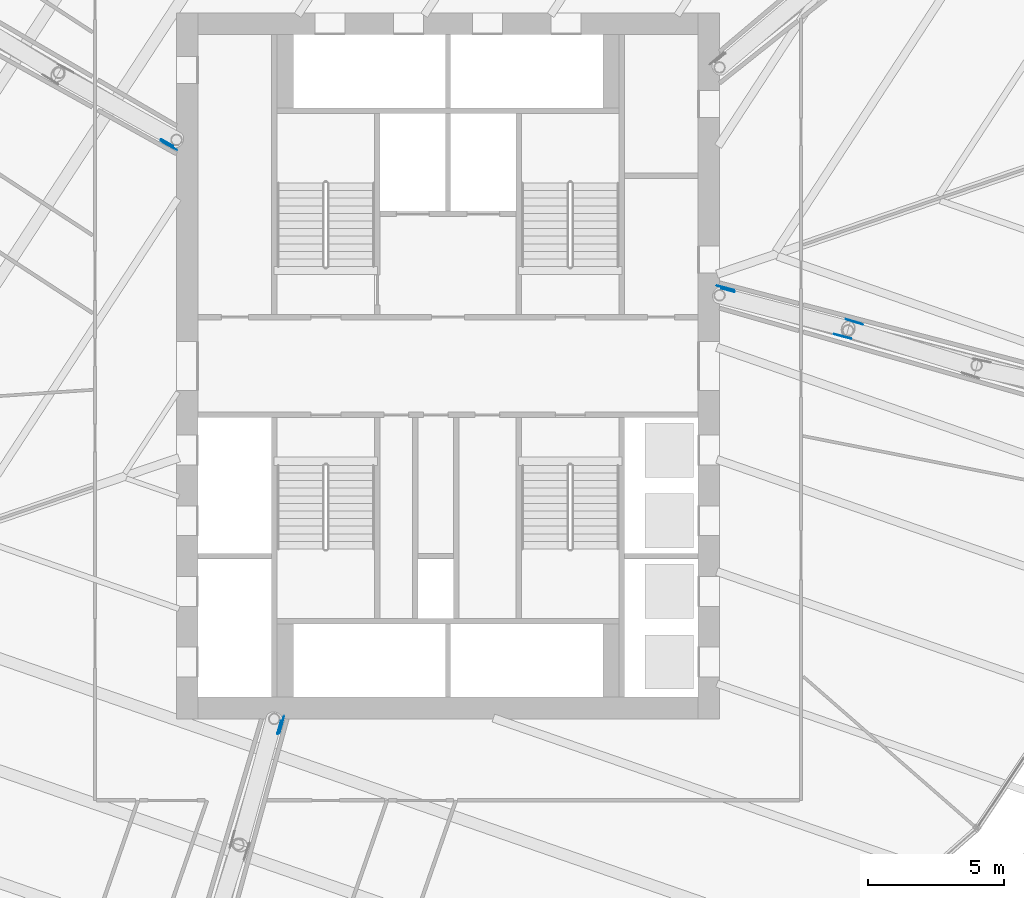
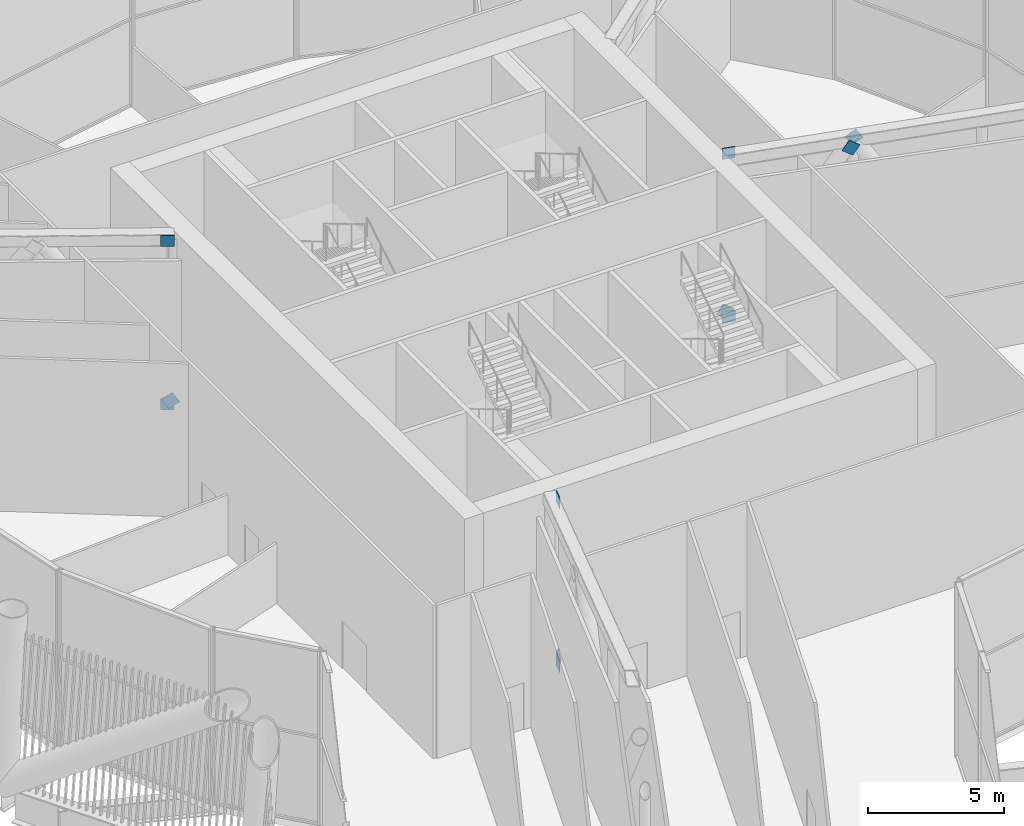
# One storey, part 46 of 63: 11 discrete accessories.
"""IFC4 building model written with IfcOpenShell, lengths in metres."""

from ifc_helpers import new_model, si_unit, direction, frame, origin, origin_2d, place, context, subcontext, project, spatial, rectangle, extrude, material, material_profile, profile_set, type_object, element, save


model = new_model("IFC4")

# Units and contexts
model_context = context("Model", 3, precision=1e-05, world=origin(), true_north=direction((0.0, 1.0)))
body_context = subcontext(model_context, "Body", "Model", "MODEL_VIEW")
ifc_project = project(units=[si_unit("LENGTHUNIT", "METRE"), si_unit("AREAUNIT", "SQUARE_METRE"), si_unit("VOLUMEUNIT", "CUBIC_METRE"), si_unit("PLANEANGLEUNIT", "RADIAN"), si_unit("MASSUNIT", "GRAM", prefix="KILO")], contexts=[model_context])

# Site, building, storey
site_placement = place(None, origin())
site = spatial("IfcSite", under=ifc_project, at=site_placement, CompositionType="ELEMENT")
building_placement = place(site_placement, origin())
building = spatial("IfcBuilding", under=site, at=building_placement, Name="Tarsis Ring Headquarters", CompositionType="ELEMENT")
storey_placement = place(building_placement, frame((0.0, 0.0, 139.60009765625)))
storey = spatial("IfcBuildingStorey", under=building, at=storey_placement, Name="L32", CompositionType="ELEMENT", Elevation=139.60009765625)

# Discrete accessories
ifc_material = material(Name="Structural steel S355", Category="steel")
ifc_material_profile = material_profile(ifc_material, rectangle(XDim=0.02490234375, YDim=0.5, at=origin_2d()), Name="PL 25x500")
ifc_profile_set = profile_set([ifc_material_profile], Name="Structural steel S355")
discrete_accessory_type_1 = type_object("IfcDiscreteAccessoryType", Name="Gusset plate Outrigger 25", PredefinedType="BRACKET", material=ifc_profile_set)
for number, where, z_axis, x_axis, name in (
    (1, (10.080322265625, 2.906982421875, 0.25390625), (0.537183086891, -0.140644299113, 0.831657088159), (0.253281010499, 0.967392748433, 0.0), "Gusset plate GP1"),
    (2, (14.657958984375, 1.054443359375, 7.5859375), (-0.537530377915, 0.140607401308, -0.831438904259), (-0.25306570312, -0.967449094219, 0.0), "Gusset plate GP1"),
    (3, (14.831298828125, 1.664794921875, 7.5859375), (0.533744155856, -0.163590386287, -0.829671839707), (0.293040703398, 0.95609996661, 0.0), "Gusset plate GP1"),
    (4, (-6.093994140625, -13.083984375, 0.25390625), (-0.145021173607, -0.529302869327, 0.835946967055), (0.964455180752, -0.264246484025, 0.0), "Gusset plate GP1"),
    (5, (-10.154052734375, 8.04931640625, 0.25390625), (-0.492093121777, 0.273385067654, 0.826501642033), (-0.485642931179, -0.874157276122, 0.0), "Gusset plate GP1"),
):
    element("IfcDiscreteAccessory", number, at=place(storey_placement, frame(where, z_axis=z_axis, x_axis=x_axis)), inside=storey, type_object=discrete_accessory_type_1, Name=name, PredefinedType="BRACKET", context=body_context, shape_type="SweptSolid", body=[
        extrude(rectangle(XDim=0.02490234375, YDim=0.5, at=origin_2d()), origin(), (0.0, 0.0, 1.0), 0.5),
    ])
discrete_accessory_type_2 = type_object("IfcDiscreteAccessoryType", Name="Gusset plate Outrigger chord 25", PredefinedType="BRACKET", material=ifc_profile_set)
for number, where, z_axis, x_axis, name in (
    (6, (10.07275390625, 2.8564453125, 0.25390625), (0.961891588146, -0.273431111351, 0.0), (0.273431111351, 0.961891588146, 0.0), "Gusset plate GP3"),
    (7, (10.0673828125, 2.85791015625, 7.5859375), (0.967471896193, -0.252978517026, 0.0), (0.252978517026, 0.967471896193, 0.0), "Gusset plate GP3"),
    (8, (-6.14453125, -13.075439453125, 0.25390625), (-0.283223653581, -0.959053889024, 0.0), (0.959053889024, -0.283223653581, 0.0), "Gusset plate GP3"),
    (9, (-6.14306640625, -13.070556640625, 7.5859375), (-0.264191589223, -0.964470219438, 0.0), (0.964470219438, -0.264191589223, 0.0), "Gusset plate GP3"),
    (10, (-10.13427734375, 8.096435546875, 0.25390625), (-0.863761190853, 0.503901384376, 0.0), (-0.503901384376, -0.863761190853, 0.0), "Gusset plate GP3"),
    (11, (-10.12939453125, 8.09375, 7.5859375), (-0.874042088414, 0.485850211157, 0.0), (-0.485850211157, -0.874042088414, 0.0), "Gusset plate GP3"),
):
    element("IfcDiscreteAccessory", number, at=place(storey_placement, frame(where, z_axis=z_axis, x_axis=x_axis)), inside=storey, type_object=discrete_accessory_type_2, Name=name, PredefinedType="BRACKET", context=body_context, shape_type="SweptSolid", body=[
        extrude(rectangle(XDim=0.02490234375, YDim=0.5, at=origin_2d()), origin(), (0.0, 0.0, 1.0), 0.5),
    ])

save(model, "model.ifc")
